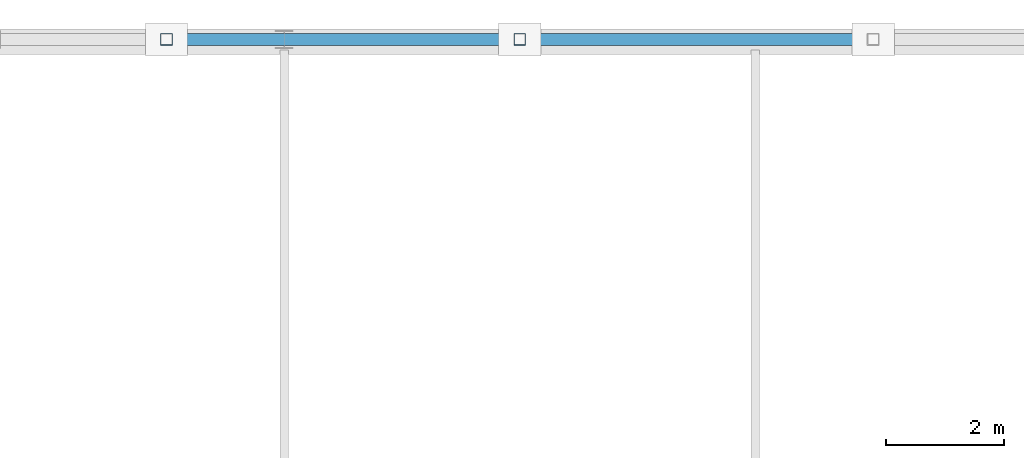
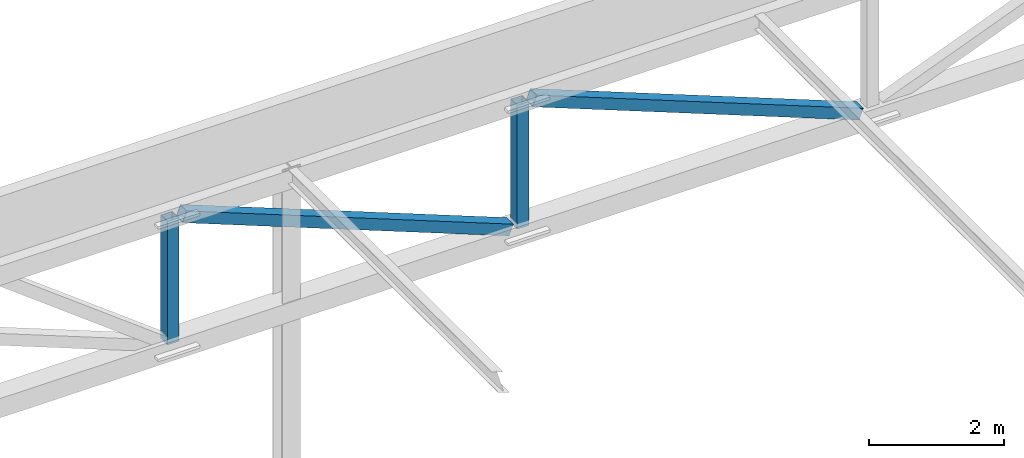
# One storey, part 73 of 122: 4 members.
"""IFC4 building model written with IfcOpenShell, lengths in metres."""

from ifc_helpers import new_model, si_unit, direction, frame, origin, origin_2d, place, context, subcontext, project, spatial, hollow_rectangle, extrude, material, material_profile, profile_set, type_object, element, save


model = new_model("IFC4")

# Units and contexts
model_context = context("Model", 3, precision=1e-05, world=origin(), true_north=direction((0.0, 1.0)))
body_context = subcontext(model_context, "Body", "Model", "MODEL_VIEW")
ifc_project = project(units=[si_unit("LENGTHUNIT", "METRE"), si_unit("AREAUNIT", "SQUARE_METRE"), si_unit("VOLUMEUNIT", "CUBIC_METRE"), si_unit("PLANEANGLEUNIT", "RADIAN"), si_unit("MASSUNIT", "GRAM", prefix="KILO")], contexts=[model_context])

# Site, building, storey
site_placement = place(None, origin())
site = spatial("IfcSite", under=ifc_project, at=site_placement, CompositionType="ELEMENT")
building_placement = place(site_placement, origin())
building = spatial("IfcBuilding", under=site, at=building_placement, Name="Cuetzalor Civic Arena", CompositionType="ELEMENT")
storey_placement = place(building_placement, frame((0.0, 0.0, 16.199951171875)))
storey = spatial("IfcBuildingStorey", under=building, at=storey_placement, Name="L03", CompositionType="ELEMENT", Elevation=16.199951171875)

# Members
ifc_material = material(Name="Steel S355", Category="steel")
ifc_material_profile = material_profile(ifc_material, hollow_rectangle(XDim=0.199951171875, YDim=0.199951171875, WallThickness=0.010009765625, at=origin_2d()), Name="RHS 200x200x10")
ifc_profile_set = profile_set([ifc_material_profile], Name="Steel S355")
member_type = type_object("IfcMemberType", Name="PrattTrussWeb_RHS200", PredefinedType="STRUT", material=ifc_profile_set)
for number, where, z_axis, x_axis, name in (
    (1, (-65.800048828125, 75.5, 5.5), (0.930756425373, 0.0, -0.365639818164), (0.0, 1.0, 0.0), "Practice Court Pratt Diagonal T3-2"),
    (2, (-59.800048828125, 75.5, 5.5), (0.930756425373, 0.0, -0.365639818164), (0.0, 1.0, 0.0), "Practice Court Pratt Diagonal T3-3"),
):
    element("IfcMember", number, at=place(storey_placement, frame(where, z_axis=z_axis, x_axis=x_axis)), inside=storey, type_object=member_type, Name=name, PredefinedType="STRUT", context=body_context, shape_type="SweptSolid", body=[
        extrude(hollow_rectangle(XDim=0.199951171875, YDim=0.199951171875, WallThickness=0.010009765625, at=origin_2d()), origin(), (0.0, 0.0, 1.0), 6.0166015625),
    ])
for number, where, z_axis, x_axis, name in (
    (3, (-66.0, 75.5, 3.280029296875), (0.0, 0.0, 1.0), (1.0, 0.0, 0.0), "Practice Court Pratt Vertical T3-1"),
    (4, (-60.0, 75.5, 3.280029296875), (0.0, 0.0, 1.0), (1.0, 0.0, 0.0), "Practice Court Pratt Vertical T3-2"),
):
    element("IfcMember", number, at=place(storey_placement, frame(where, z_axis=z_axis, x_axis=x_axis)), inside=storey, type_object=member_type, Name=name, PredefinedType="STRUT", context=body_context, shape_type="SweptSolid", body=[
        extrude(hollow_rectangle(XDim=0.199951171875, YDim=0.199951171875, WallThickness=0.010009765625, at=origin_2d()), origin(), (0.0, 0.0, 1.0), 2.239990234375),
    ])

save(model, "model.ifc")
